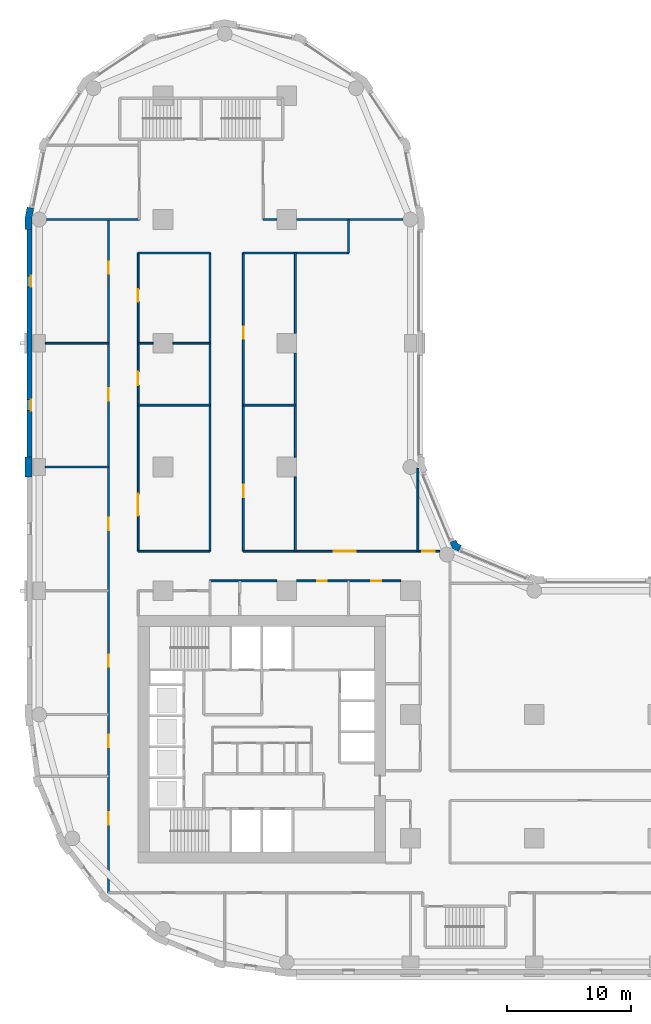
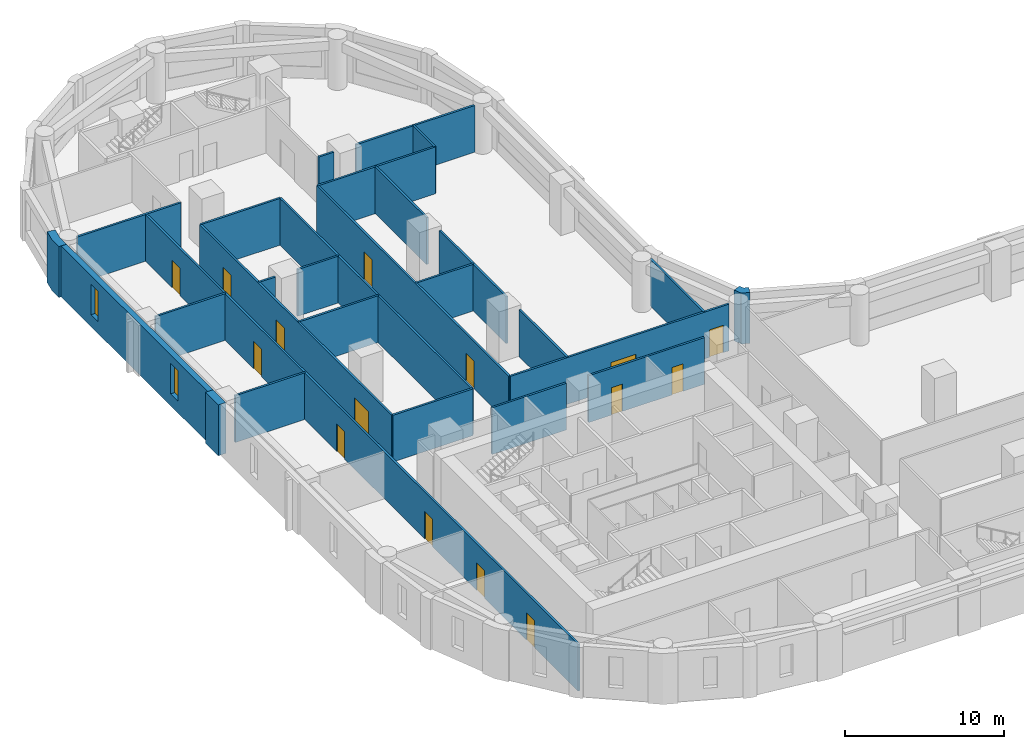
# One storey, part 5 of 10: 28 walls, 15 doors, 2 windows, 17 openings.
"""IFC4 building model written with IfcOpenShell, lengths in metres."""

from ifc_helpers import new_model, si_unit, direction, frame, frame_2d, origin, place, context, subcontext, project, spatial, polyline, rectangle, outline, extrude, material, layer, layer_set, type_object, element, fill, save


model = new_model("IFC4")

# Units and contexts
model_context = context("Model", 3, precision=1e-05, world=origin(), true_north=direction((0.0, 1.0)))
body_context = subcontext(model_context, "Body", "Model", "MODEL_VIEW")
ifc_project = project(units=[si_unit("LENGTHUNIT", "METRE"), si_unit("AREAUNIT", "SQUARE_METRE"), si_unit("VOLUMEUNIT", "CUBIC_METRE"), si_unit("PLANEANGLEUNIT", "RADIAN"), si_unit("MASSUNIT", "GRAM", prefix="KILO")], contexts=[model_context])

# Site, building, storey
site_placement = place(None, origin())
site = spatial("IfcSite", under=ifc_project, at=site_placement, CompositionType="ELEMENT")
building_placement = place(site_placement, origin())
building = spatial("IfcBuilding", under=site, at=building_placement, Name="Qaws Garden Tower", CompositionType="ELEMENT")
storey_placement = place(building_placement, frame((0.0, 0.0, 101.699951171875)))
storey = spatial("IfcBuildingStorey", under=building, at=storey_placement, Name="L25", CompositionType="ELEMENT", Elevation=101.699951171875)

# Wall, openings, windows
ifc_material_1 = material(Name="Clay facing brick masonry", Category="masonry")
ifc_layer_1 = layer(ifc_material_1, 0.39990234375)
ifc_layer_set_1 = layer_set([ifc_layer_1], Name="Clay facing brick masonry")
wall_type_1 = type_object("IfcWallType", Name="Brick infill wall 400", PredefinedType="SOLIDWALL", material=ifc_layer_set_1)
wall_1_placement = place(storey_placement, frame((-0.800048828125, 59.199951171875, 0.0), z_axis=(0.0, 0.0, 1.0), x_axis=(0.0, -1.0, 0.0)))
wall_1 = element("IfcWall", 1, at=wall_1_placement, inside=storey, type_object=wall_type_1, Name="E-L25-infill-23", PredefinedType="SOLIDWALL", context=body_context, shape_type="SweptSolid", body=[
    extrude(rectangle(XDim=18.39990234375, YDim=0.39990234375, at=frame_2d((9.199951171875, 0.0))), origin(), (0.0, 0.0, 1.0), 3.900146484375),
])
opening_1_placement = place(wall_1_placement, frame((3.75, 0.0, 0.89990234375)))
opening_1 = element("IfcOpeningElement", 2, at=opening_1_placement, cuts=wall_1, Name="Opening W09", PredefinedType="OPENING", context=body_context, shape_type="SweptSolid", body=[
    extrude(rectangle(XDim=0.89990234375, YDim=2.35009765625, at=frame_2d((0.449951171875, 1.175048828125))), frame((0.0, 0.2099609375, 0.0), z_axis=(0.0, -1.0, 0.0), x_axis=(1.0, 0.0, 0.0)), (0.0, 0.0, 1.0), 0.419921875),
])
opening_2_placement = place(wall_1_placement, frame((13.75, 0.0, 0.89990234375)))
opening_2 = element("IfcOpeningElement", 3, at=opening_2_placement, cuts=wall_1, Name="Opening W09", PredefinedType="OPENING", context=body_context, shape_type="SweptSolid", body=[
    extrude(rectangle(XDim=0.89990234375, YDim=2.35009765625, at=frame_2d((0.449951171875, 1.175048828125))), frame((0.0, 0.2099609375, 0.0), z_axis=(0.0, -1.0, 0.0), x_axis=(1.0, 0.0, 0.0)), (0.0, 0.0, 1.0), 0.419921875),
])
ifc_material_2 = material(Name="Aluminium framed window, clear glazing", Category="aluminium")
window_type = type_object("IfcWindowType", Name="Slit window 900 x 2350", PartitioningType="SINGLE_PANEL", PredefinedType="WINDOW", material=ifc_material_2)
window_1_placement = place(opening_1_placement, origin())
window_1 = element("IfcWindow", 4, at=window_1_placement, inside=storey, type_object=window_type, Name="E-L25-window-23-0", OverallHeight=2.35009765625, OverallWidth=0.89990234375, PartitioningType="SINGLE_PANEL", PredefinedType="WINDOW", context=body_context, shape_type="SweptSolid", body=[
    extrude(rectangle(XDim=0.89990234375, YDim=2.35009765625, at=frame_2d((0.449951171875, 1.175048828125))), frame((0.0, 0.159912109375, 0.0), z_axis=(0.0, -1.0, 0.0), x_axis=(1.0, 0.0, 0.0)), (0.0, 0.0, 1.0), 0.06005859375),
])
fill(opening_1, window_1)
window_2_placement = place(opening_2_placement, origin())
window_2 = element("IfcWindow", 5, at=window_2_placement, inside=storey, type_object=window_type, Name="E-L25-window-24-0", OverallHeight=2.35009765625, OverallWidth=0.89990234375, PartitioningType="SINGLE_PANEL", PredefinedType="WINDOW", context=body_context, shape_type="SweptSolid", body=[
    extrude(rectangle(XDim=0.89990234375, YDim=2.35009765625, at=frame_2d((0.449951171875, 1.175048828125))), frame((0.0, 0.159912109375, 0.0), z_axis=(0.0, -1.0, 0.0), x_axis=(1.0, 0.0, 0.0)), (0.0, 0.0, 1.0), 0.06005859375),
])
fill(opening_2, window_2)

# Walls
ifc_material_3 = material(Name="Clay facing brick masonry", Category="masonry")
ifc_layer_2 = layer(ifc_material_3, 0.550048828125)
ifc_layer_set_2 = layer_set([ifc_layer_2], Name="Clay facing brick masonry")
wall_type_2 = type_object("IfcWallType", Name="Brick pier 550 x 1600", PredefinedType="SOLIDWALL", material=ifc_layer_set_2)
placement = place(storey_placement, origin())
element("IfcWall", 6, at=placement, inside=storey, type_object=wall_type_2, Name="E-L25-pier-12", PredefinedType="SOLIDWALL", context=body_context, shape_type="SweptSolid", body=[
    extrude(outline(polyline([(34.05078125, 33.546630859375), (34.108154296875, 33.685302734375), (33.80908203125, 33.80908203125), (33.685302734375, 34.108154296875), (33.546630859375, 34.05078125), (33.177001953125, 33.897705078125), (33.38818359375, 33.38818359375), (33.897705078125, 33.177001953125), (34.05078125, 33.546630859375)])), origin(), (0.0, 0.0, 1.0), 3.900146484375),
])
element("IfcWall", 7, at=placement, inside=storey, type_object=wall_type_2, Name="E-L25-pier-23", PredefinedType="SOLIDWALL", context=body_context, shape_type="SweptSolid", body=[
    extrude(outline(polyline([(-0.82470703125, 60.979736328125), (-0.971923828125, 61.009033203125), (-1.14990234375, 60.11328125), (-1.14990234375, 59.199951171875), (-1.0, 59.199951171875), (-0.60009765625, 59.199951171875), (-0.60009765625, 60.05908203125), (-0.432373046875, 60.901611328125), (-0.82470703125, 60.979736328125)])), origin(), (0.0, 0.0, 1.0), 3.900146484375),
])
element("IfcWall", 8, at=placement, inside=storey, type_object=wall_type_2, Name="E-L25-pier-25", PredefinedType="SOLIDWALL", context=body_context, shape_type="SweptSolid", body=[
    extrude(outline(polyline([(-1.0, 40.800048828125), (-1.14990234375, 40.800048828125), (-1.14990234375, 40.0), (-1.14990234375, 39.199951171875), (-1.0, 39.199951171875), (-0.60009765625, 39.199951171875), (-0.60009765625, 40.0), (-0.60009765625, 40.800048828125), (-1.0, 40.800048828125)])), origin(), (0.0, 0.0, 1.0), 3.900146484375),
])

# Wall, openings, doors
ifc_material_4 = material(Name="Gypsum board partition")
ifc_layer_3 = layer(ifc_material_4, 0.14990234375)
ifc_layer_set_3 = layer_set([ifc_layer_3], Name="Gypsum board partition")
wall_type_3 = type_object("IfcWallType", Name="PARTITION 150 EI 60", PredefinedType="PARTITIONING", material=ifc_layer_set_3)
wall_5_placement = place(storey_placement, frame((5.60009765625, 5.60009765625, 0.0), z_axis=(0.0, 0.0, 1.0), x_axis=(0.0, 1.0, 0.0)))
wall_5 = element("IfcWall", 9, at=wall_5_placement, inside=storey, type_object=wall_type_3, Name="O-L25-wall-001", PredefinedType="PARTITIONING", context=body_context, shape_type="SweptSolid", body=[
    extrude(rectangle(XDim=54.39990234375, YDim=0.14990234375, at=frame_2d((27.199951171875, 0.0))), origin(), (0.0, 0.0, 1.0), 3.580078125),
])
opening_3_placement = place(wall_5_placement, frame((5.5, 0.0, 0.0)))
opening_3 = element("IfcOpeningElement", 10, at=opening_3_placement, cuts=wall_5, Name="Opening A801", PredefinedType="OPENING", context=body_context, shape_type="SweptSolid", body=[
    extrude(rectangle(XDim=1.0, YDim=2.10009765625, at=frame_2d((0.5, 1.050048828125))), frame((0.0, 0.0849609375, 0.0), z_axis=(0.0, -1.0, 0.0), x_axis=(1.0, 0.0, 0.0)), (0.0, 0.0, 1.0), 0.169921875),
])
opening_4_placement = place(wall_5_placement, frame((11.75, 0.0, 0.0)))
opening_4 = element("IfcOpeningElement", 11, at=opening_4_placement, cuts=wall_5, Name="Opening A802", PredefinedType="OPENING", context=body_context, shape_type="SweptSolid", body=[
    extrude(rectangle(XDim=1.0, YDim=2.10009765625, at=frame_2d((0.5, 1.050048828125))), frame((0.0, 0.0849609375, 0.0), z_axis=(0.0, -1.0, 0.0), x_axis=(1.0, 0.0, 0.0)), (0.0, 0.0, 1.0), 0.169921875),
])
opening_5_placement = place(wall_5_placement, frame((18.25, 0.0, 0.0)))
opening_5 = element("IfcOpeningElement", 12, at=opening_5_placement, cuts=wall_5, Name="Opening A813", PredefinedType="OPENING", context=body_context, shape_type="SweptSolid", body=[
    extrude(rectangle(XDim=1.0, YDim=2.10009765625, at=frame_2d((0.5, 1.050048828125))), frame((0.0, 0.0849609375, 0.0), z_axis=(0.0, -1.0, 0.0), x_axis=(1.0, 0.0, 0.0)), (0.0, 0.0, 1.0), 0.169921875),
])
opening_6_placement = place(wall_5_placement, frame((29.300048828125, 0.0, 0.0)))
opening_6 = element("IfcOpeningElement", 13, at=opening_6_placement, cuts=wall_5, Name="Opening A823", PredefinedType="OPENING", context=body_context, shape_type="SweptSolid", body=[
    extrude(rectangle(XDim=1.0, YDim=2.10009765625, at=frame_2d((0.5, 1.050048828125))), frame((0.0, 0.0849609375, 0.0), z_axis=(0.0, -1.0, 0.0), x_axis=(1.0, 0.0, 0.0)), (0.0, 0.0, 1.0), 0.169921875),
])
opening_7_placement = place(wall_5_placement, frame((39.75, 0.0, 0.0)))
opening_7 = element("IfcOpeningElement", 14, at=opening_7_placement, cuts=wall_5, Name="Opening A824", PredefinedType="OPENING", context=body_context, shape_type="SweptSolid", body=[
    extrude(rectangle(XDim=1.0, YDim=2.10009765625, at=frame_2d((0.5, 1.050048828125))), frame((0.0, 0.0849609375, 0.0), z_axis=(0.0, -1.0, 0.0), x_axis=(1.0, 0.0, 0.0)), (0.0, 0.0, 1.0), 0.169921875),
])
opening_8_placement = place(wall_5_placement, frame((50.0, 0.0, 0.0)))
opening_8 = element("IfcOpeningElement", 15, at=opening_8_placement, cuts=wall_5, Name="Opening A825", PredefinedType="OPENING", context=body_context, shape_type="SweptSolid", body=[
    extrude(rectangle(XDim=1.0, YDim=2.10009765625, at=frame_2d((0.5, 1.050048828125))), frame((0.0, 0.0849609375, 0.0), z_axis=(0.0, -1.0, 0.0), x_axis=(1.0, 0.0, 0.0)), (0.0, 0.0, 1.0), 0.169921875),
])
ifc_material_5 = material(Name="Timber door leaf", Category="wood")
door_type_1 = type_object("IfcDoorType", Name="TENANCY ENTRANCE DOOR 1000 X 2100", OperationType="SINGLE_SWING_LEFT", PredefinedType="DOOR", material=ifc_material_5)
door_1_placement = place(opening_3_placement, origin())
door_1 = element("IfcDoor", 16, at=door_1_placement, inside=storey, type_object=door_type_1, Name="O-L25-door-001", OperationType="SINGLE_SWING_RIGHT", OverallHeight=2.10009765625, OverallWidth=1.0, PredefinedType="DOOR", context=body_context, shape_type="SweptSolid", body=[
    extrude(rectangle(XDim=1.0, YDim=2.10009765625, at=frame_2d((0.5, 1.050048828125))), frame((0.0, 0.02490234375, 0.0), z_axis=(0.0, -1.0, 0.0), x_axis=(1.0, 0.0, 0.0)), (0.0, 0.0, 1.0), 0.050048828125),
])
fill(opening_3, door_1)
door_2_placement = place(opening_4_placement, origin())
door_2 = element("IfcDoor", 17, at=door_2_placement, inside=storey, type_object=door_type_1, Name="O-L25-door-002", OperationType="SINGLE_SWING_RIGHT", OverallHeight=2.10009765625, OverallWidth=1.0, PredefinedType="DOOR", context=body_context, shape_type="SweptSolid", body=[
    extrude(rectangle(XDim=1.0, YDim=2.10009765625, at=frame_2d((0.5, 1.050048828125))), frame((0.0, 0.02490234375, 0.0), z_axis=(0.0, -1.0, 0.0), x_axis=(1.0, 0.0, 0.0)), (0.0, 0.0, 1.0), 0.050048828125),
])
fill(opening_4, door_2)
door_3_placement = place(opening_5_placement, origin())
door_3 = element("IfcDoor", 18, at=door_3_placement, inside=storey, type_object=door_type_1, Name="O-L25-door-013", OperationType="SINGLE_SWING_RIGHT", OverallHeight=2.10009765625, OverallWidth=1.0, PredefinedType="DOOR", context=body_context, shape_type="SweptSolid", body=[
    extrude(rectangle(XDim=1.0, YDim=2.10009765625, at=frame_2d((0.5, 1.050048828125))), frame((0.0, 0.02490234375, 0.0), z_axis=(0.0, -1.0, 0.0), x_axis=(1.0, 0.0, 0.0)), (0.0, 0.0, 1.0), 0.050048828125),
])
fill(opening_5, door_3)
door_4_placement = place(opening_6_placement, origin())
door_4 = element("IfcDoor", 19, at=door_4_placement, inside=storey, type_object=door_type_1, Name="O-L25-door-023", OperationType="SINGLE_SWING_LEFT", OverallHeight=2.10009765625, OverallWidth=1.0, PredefinedType="DOOR", context=body_context, shape_type="SweptSolid", body=[
    extrude(rectangle(XDim=1.0, YDim=2.10009765625, at=frame_2d((0.5, 1.050048828125))), frame((0.0, 0.02490234375, 0.0), z_axis=(0.0, -1.0, 0.0), x_axis=(1.0, 0.0, 0.0)), (0.0, 0.0, 1.0), 0.050048828125),
])
fill(opening_6, door_4)
door_5_placement = place(opening_7_placement, origin())
door_5 = element("IfcDoor", 20, at=door_5_placement, inside=storey, type_object=door_type_1, Name="O-L25-door-024", OperationType="SINGLE_SWING_LEFT", OverallHeight=2.10009765625, OverallWidth=1.0, PredefinedType="DOOR", context=body_context, shape_type="SweptSolid", body=[
    extrude(rectangle(XDim=1.0, YDim=2.10009765625, at=frame_2d((0.5, 1.050048828125))), frame((0.0, 0.02490234375, 0.0), z_axis=(0.0, -1.0, 0.0), x_axis=(1.0, 0.0, 0.0)), (0.0, 0.0, 1.0), 0.050048828125),
])
fill(opening_7, door_5)
door_6_placement = place(opening_8_placement, origin())
door_6 = element("IfcDoor", 21, at=door_6_placement, inside=storey, type_object=door_type_1, Name="O-L25-door-025", OperationType="SINGLE_SWING_LEFT", OverallHeight=2.10009765625, OverallWidth=1.0, PredefinedType="DOOR", context=body_context, shape_type="SweptSolid", body=[
    extrude(rectangle(XDim=1.0, YDim=2.10009765625, at=frame_2d((0.5, 1.050048828125))), frame((0.0, 0.02490234375, 0.0), z_axis=(0.0, -1.0, 0.0), x_axis=(1.0, 0.0, 0.0)), (0.0, 0.0, 1.0), 0.050048828125),
])
fill(opening_8, door_6)

wall_6_placement = place(storey_placement, frame((8.0, 33.199951171875, 0.0), z_axis=(0.0, 0.0, 1.0), x_axis=(0.0, 1.0, 0.0)))
wall_6 = element("IfcWall", 22, at=wall_6_placement, inside=storey, type_object=wall_type_3, Name="O-L25-wall-003", PredefinedType="PARTITIONING", context=body_context, shape_type="SweptSolid", body=[
    extrude(rectangle(XDim=24.10009765625, YDim=0.14990234375, at=frame_2d((12.050048828125, 0.0))), origin(), (0.0, 0.0, 1.0), 3.580078125),
])
opening_9_placement = place(wall_6_placement, frame((2.85009765625, 0.0, 0.0)))
opening_9 = element("IfcOpeningElement", 23, at=opening_9_placement, cuts=wall_6, Name="Opening A814", PredefinedType="OPENING", context=body_context, shape_type="SweptSolid", body=[
    extrude(rectangle(XDim=1.800048828125, YDim=2.10009765625, at=frame_2d((0.89990234375, 1.050048828125))), frame((0.0, 0.0849609375, 0.0), z_axis=(0.0, -1.0, 0.0), x_axis=(1.0, 0.0, 0.0)), (0.0, 0.0, 1.0), 0.169921875),
])
opening_10_placement = place(wall_6_placement, frame((13.39990234375, 0.0, 0.0)))
opening_10 = element("IfcOpeningElement", 24, at=opening_10_placement, cuts=wall_6, Name="Opening A815", PredefinedType="OPENING", context=body_context, shape_type="SweptSolid", body=[
    extrude(rectangle(XDim=1.10009765625, YDim=2.10009765625, at=frame_2d((0.550048828125, 1.050048828125))), frame((0.0, 0.0849609375, 0.0), z_axis=(0.0, -1.0, 0.0), x_axis=(1.0, 0.0, 0.0)), (0.0, 0.0, 1.0), 0.169921875),
])
opening_11_placement = place(wall_6_placement, frame((20.14990234375, 0.0, 0.0)))
opening_11 = element("IfcOpeningElement", 25, at=opening_11_placement, cuts=wall_6, Name="Opening A816", PredefinedType="OPENING", context=body_context, shape_type="SweptSolid", body=[
    extrude(rectangle(XDim=1.0, YDim=2.10009765625, at=frame_2d((0.5, 1.050048828125))), frame((0.0, 0.0849609375, 0.0), z_axis=(0.0, -1.0, 0.0), x_axis=(1.0, 0.0, 0.0)), (0.0, 0.0, 1.0), 0.169921875),
])
ifc_material_6 = material(Name="Timber door leaf", Category="wood")
door_type_2 = type_object("IfcDoorType", Name="DOUBLE DOOR 1800 X 2100", OperationType="DOUBLE_DOOR_SINGLE_SWING", PredefinedType="DOOR", material=ifc_material_6)
door_7_placement = place(opening_9_placement, frame((1.800048828125, 0.0, 0.0), z_axis=(0.0, 0.0, 1.0), x_axis=(-1.0, 0.0, 0.0)))
door_7 = element("IfcDoor", 26, at=door_7_placement, inside=storey, type_object=door_type_2, Name="O-L25-door-014", OperationType="DOUBLE_DOOR_SINGLE_SWING", OverallHeight=2.10009765625, OverallWidth=1.800048828125, PredefinedType="DOOR", context=body_context, shape_type="SweptSolid", body=[
    extrude(rectangle(XDim=1.800048828125, YDim=2.10009765625, at=frame_2d((0.89990234375, 1.050048828125))), frame((0.0, 0.02490234375, 0.0), z_axis=(0.0, -1.0, 0.0), x_axis=(1.0, 0.0, 0.0)), (0.0, 0.0, 1.0), 0.050048828125),
])
fill(opening_9, door_7)
ifc_material_7 = material(Name="Timber door leaf", Category="wood")
door_type_3 = type_object("IfcDoorType", Name="SERVICE ROOM DOOR 1100 X 2100", OperationType="SINGLE_SWING_LEFT", PredefinedType="DOOR", material=ifc_material_7)
door_8_placement = place(opening_10_placement, frame((1.10009765625, 0.0, 0.0), z_axis=(0.0, 0.0, 1.0), x_axis=(-1.0, 0.0, 0.0)))
door_8 = element("IfcDoor", 27, at=door_8_placement, inside=storey, type_object=door_type_3, Name="O-L25-door-015", OperationType="SINGLE_SWING_RIGHT", OverallHeight=2.10009765625, OverallWidth=1.10009765625, PredefinedType="DOOR", context=body_context, shape_type="SweptSolid", body=[
    extrude(rectangle(XDim=1.10009765625, YDim=2.10009765625, at=frame_2d((0.550048828125, 1.050048828125))), frame((0.0, 0.02490234375, 0.0), z_axis=(0.0, -1.0, 0.0), x_axis=(1.0, 0.0, 0.0)), (0.0, 0.0, 1.0), 0.050048828125),
])
fill(opening_10, door_8)
door_9_placement = place(opening_11_placement, frame((1.0, 0.0, 0.0), z_axis=(0.0, 0.0, 1.0), x_axis=(-1.0, 0.0, 0.0)))
door_9 = element("IfcDoor", 28, at=door_9_placement, inside=storey, type_object=door_type_1, Name="O-L25-door-016", OperationType="SINGLE_SWING_RIGHT", OverallHeight=2.10009765625, OverallWidth=1.0, PredefinedType="DOOR", context=body_context, shape_type="SweptSolid", body=[
    extrude(rectangle(XDim=1.0, YDim=2.10009765625, at=frame_2d((0.5, 1.050048828125))), frame((0.0, 0.02490234375, 0.0), z_axis=(0.0, -1.0, 0.0), x_axis=(1.0, 0.0, 0.0)), (0.0, 0.0, 1.0), 0.050048828125),
])
fill(opening_11, door_9)

# Wall
wall_7_placement = place(storey_placement, frame((13.800048828125, 33.199951171875, 0.0), z_axis=(0.0, 0.0, 1.0), x_axis=(0.0, 1.0, 0.0)))
element("IfcWall", 29, at=wall_7_placement, inside=storey, type_object=wall_type_3, Name="O-L25-wall-006", PredefinedType="PARTITIONING", context=body_context, shape_type="SweptSolid", body=[
    extrude(rectangle(XDim=24.10009765625, YDim=0.14990234375, at=frame_2d((12.050048828125, 0.0))), origin(), (0.0, 0.0, 1.0), 3.580078125),
])

# Wall, openings, doors
wall_8_placement = place(storey_placement, frame((16.5, 33.199951171875, 0.0), z_axis=(0.0, 0.0, 1.0), x_axis=(0.0, 1.0, 0.0)))
wall_8 = element("IfcWall", 30, at=wall_8_placement, inside=storey, type_object=wall_type_3, Name="O-L25-wall-008", PredefinedType="PARTITIONING", context=body_context, shape_type="SweptSolid", body=[
    extrude(rectangle(XDim=24.10009765625, YDim=0.14990234375, at=frame_2d((12.050048828125, 0.0))), origin(), (0.0, 0.0, 1.0), 3.580078125),
])
opening_12_placement = place(wall_8_placement, frame((4.35009765625, 0.0, 0.0)))
opening_12 = element("IfcOpeningElement", 31, at=opening_12_placement, cuts=wall_8, Name="Opening A817", PredefinedType="OPENING", context=body_context, shape_type="SweptSolid", body=[
    extrude(rectangle(XDim=1.0, YDim=2.10009765625, at=frame_2d((0.5, 1.050048828125))), frame((0.0, 0.0849609375, 0.0), z_axis=(0.0, -1.0, 0.0), x_axis=(1.0, 0.0, 0.0)), (0.0, 0.0, 1.0), 0.169921875),
])
opening_13_placement = place(wall_8_placement, frame((17.14990234375, 0.0, 0.0)))
opening_13 = element("IfcOpeningElement", 32, at=opening_13_placement, cuts=wall_8, Name="Opening A818", PredefinedType="OPENING", context=body_context, shape_type="SweptSolid", body=[
    extrude(rectangle(XDim=1.0, YDim=2.10009765625, at=frame_2d((0.5, 1.050048828125))), frame((0.0, 0.0849609375, 0.0), z_axis=(0.0, -1.0, 0.0), x_axis=(1.0, 0.0, 0.0)), (0.0, 0.0, 1.0), 0.169921875),
])
door_10_placement = place(opening_12_placement, frame((1.0, 0.0, 0.0), z_axis=(0.0, 0.0, 1.0), x_axis=(-1.0, 0.0, 0.0)))
door_10 = element("IfcDoor", 33, at=door_10_placement, inside=storey, type_object=door_type_1, Name="O-L25-door-017", OperationType="SINGLE_SWING_RIGHT", OverallHeight=2.10009765625, OverallWidth=1.0, PredefinedType="DOOR", context=body_context, shape_type="SweptSolid", body=[
    extrude(rectangle(XDim=1.0, YDim=2.10009765625, at=frame_2d((0.5, 1.050048828125))), frame((0.0, 0.02490234375, 0.0), z_axis=(0.0, -1.0, 0.0), x_axis=(1.0, 0.0, 0.0)), (0.0, 0.0, 1.0), 0.050048828125),
])
fill(opening_12, door_10)
door_11_placement = place(opening_13_placement, frame((1.0, 0.0, 0.0), z_axis=(0.0, 0.0, 1.0), x_axis=(-1.0, 0.0, 0.0)))
door_11 = element("IfcDoor", 34, at=door_11_placement, inside=storey, type_object=door_type_1, Name="O-L25-door-018", OperationType="SINGLE_SWING_RIGHT", OverallHeight=2.10009765625, OverallWidth=1.0, PredefinedType="DOOR", context=body_context, shape_type="SweptSolid", body=[
    extrude(rectangle(XDim=1.0, YDim=2.10009765625, at=frame_2d((0.5, 1.050048828125))), frame((0.0, 0.02490234375, 0.0), z_axis=(0.0, -1.0, 0.0), x_axis=(1.0, 0.0, 0.0)), (0.0, 0.0, 1.0), 0.050048828125),
])
fill(opening_13, door_11)

# Walls
wall_9_placement = place(storey_placement, frame((20.699951171875, 33.199951171875, 0.0), z_axis=(0.0, 0.0, 1.0), x_axis=(0.0, 1.0, 0.0)))
element("IfcWall", 35, at=wall_9_placement, inside=storey, type_object=wall_type_3, Name="O-L25-wall-011", PredefinedType="PARTITIONING", context=body_context, shape_type="SweptSolid", body=[
    extrude(rectangle(XDim=6.0, YDim=0.14990234375, at=frame_2d((3.0, 0.0))), origin(), (0.0, 0.0, 1.0), 3.580078125),
])
wall_10_placement = place(storey_placement, frame((20.699951171875, 40.800048828125, 0.0), z_axis=(0.0, 0.0, 1.0), x_axis=(0.0, 1.0, 0.0)))
element("IfcWall", 36, at=wall_10_placement, inside=storey, type_object=wall_type_3, Name="O-L25-wall-012", PredefinedType="PARTITIONING", context=body_context, shape_type="SweptSolid", body=[
    extrude(rectangle(XDim=8.39990234375, YDim=0.14990234375, at=frame_2d((4.199951171875, 0.0))), origin(), (0.0, 0.0, 1.0), 3.580078125),
])
wall_11_placement = place(storey_placement, frame((20.699951171875, 50.800048828125, 0.0), z_axis=(0.0, 0.0, 1.0), x_axis=(0.0, 1.0, 0.0)))
element("IfcWall", 37, at=wall_11_placement, inside=storey, type_object=wall_type_3, Name="O-L25-wall-013", PredefinedType="PARTITIONING", context=body_context, shape_type="SweptSolid", body=[
    extrude(rectangle(XDim=6.5, YDim=0.14990234375, at=frame_2d((3.25, 0.0))), origin(), (0.0, 0.0, 1.0), 3.580078125),
])
wall_12_placement = place(storey_placement, frame((25.0, 57.300048828125, 0.0), z_axis=(0.0, 0.0, 1.0), x_axis=(0.0, 1.0, 0.0)))
element("IfcWall", 38, at=wall_12_placement, inside=storey, type_object=wall_type_3, Name="O-L25-wall-015", PredefinedType="PARTITIONING", context=body_context, shape_type="SweptSolid", body=[
    extrude(rectangle(XDim=2.699951171875, YDim=0.14990234375, at=frame_2d((1.35009765625, 0.0))), origin(), (0.0, 0.0, 1.0), 3.580078125),
])
wall_13_placement = place(storey_placement, frame((30.60009765625, 33.199951171875, 0.0), z_axis=(0.0, 0.0, 1.0), x_axis=(0.0, 1.0, 0.0)))
element("IfcWall", 39, at=wall_13_placement, inside=storey, type_object=wall_type_3, Name="O-L25-wall-019", PredefinedType="PARTITIONING", context=body_context, shape_type="SweptSolid", body=[
    extrude(rectangle(XDim=6.698974609375, YDim=0.14990234375, at=frame_2d((3.349609375, 0.0))), origin(), (0.0, 0.0, 1.0), 3.580078125),
])
wall_14_placement = place(storey_placement, frame((13.800048828125, 30.800048828125, 0.0), z_axis=(0.0, 0.0, 1.0), x_axis=(1.0, 0.0, 0.0)))
element("IfcWall", 40, at=wall_14_placement, inside=storey, type_object=wall_type_3, Name="O-L25-wall-047", PredefinedType="PARTITIONING", context=body_context, shape_type="SweptSolid", body=[
    extrude(rectangle(XDim=5.39990234375, YDim=0.14990234375, at=frame_2d((2.699951171875, 0.0))), origin(), (0.0, 0.0, 1.0), 3.580078125),
])

# Wall, openings, doors
wall_15_placement = place(storey_placement, frame((20.800048828125, 30.800048828125, 0.0), z_axis=(0.0, 0.0, 1.0), x_axis=(1.0, 0.0, 0.0)))
wall_15 = element("IfcWall", 41, at=wall_15_placement, inside=storey, type_object=wall_type_3, Name="O-L25-wall-048", PredefinedType="PARTITIONING", context=body_context, shape_type="SweptSolid", body=[
    extrude(rectangle(XDim=8.39990234375, YDim=0.14990234375, at=frame_2d((4.199951171875, 0.0))), origin(), (0.0, 0.0, 1.0), 3.580078125),
])
opening_14_placement = place(wall_15_placement, frame((1.64990234375, 0.0, 0.0)))
opening_14 = element("IfcOpeningElement", 42, at=opening_14_placement, cuts=wall_15, Name="Opening A811", PredefinedType="OPENING", context=body_context, shape_type="SweptSolid", body=[
    extrude(rectangle(XDim=0.800048828125, YDim=2.10009765625, at=frame_2d((0.39990234375, 1.050048828125))), frame((0.0, 0.0849609375, 0.0), z_axis=(0.0, -1.0, 0.0), x_axis=(1.0, 0.0, 0.0)), (0.0, 0.0, 1.0), 0.169921875),
])
opening_15_placement = place(wall_15_placement, frame((6.050048828125, 0.0, 0.0)))
opening_15 = element("IfcOpeningElement", 43, at=opening_15_placement, cuts=wall_15, Name="Opening A812", PredefinedType="OPENING", context=body_context, shape_type="SweptSolid", body=[
    extrude(rectangle(XDim=0.800048828125, YDim=2.10009765625, at=frame_2d((0.39990234375, 1.050048828125))), frame((0.0, 0.0849609375, 0.0), z_axis=(0.0, -1.0, 0.0), x_axis=(1.0, 0.0, 0.0)), (0.0, 0.0, 1.0), 0.169921875),
])
ifc_material_8 = material(Name="Timber door leaf", Category="wood")
door_type_4 = type_object("IfcDoorType", Name="STORE DOOR 800 X 2100", OperationType="SINGLE_SWING_LEFT", PredefinedType="DOOR", material=ifc_material_8)
door_12_placement = place(opening_14_placement, frame((0.800048828125, 0.0, 0.0), z_axis=(0.0, 0.0, 1.0), x_axis=(-1.0, 0.0, 0.0)))
door_12 = element("IfcDoor", 44, at=door_12_placement, inside=storey, type_object=door_type_4, Name="O-L25-door-011", OperationType="SINGLE_SWING_LEFT", OverallHeight=2.10009765625, OverallWidth=0.800048828125, PredefinedType="DOOR", context=body_context, shape_type="SweptSolid", body=[
    extrude(rectangle(XDim=0.800048828125, YDim=2.10009765625, at=frame_2d((0.39990234375, 1.050048828125))), frame((0.0, 0.02490234375, 0.0), z_axis=(0.0, -1.0, 0.0), x_axis=(1.0, 0.0, 0.0)), (0.0, 0.0, 1.0), 0.050048828125),
])
fill(opening_14, door_12)
door_13_placement = place(opening_15_placement, frame((0.800048828125, 0.0, 0.0), z_axis=(0.0, 0.0, 1.0), x_axis=(-1.0, 0.0, 0.0)))
door_13 = element("IfcDoor", 45, at=door_13_placement, inside=storey, type_object=door_type_4, Name="O-L25-door-012", OperationType="SINGLE_SWING_LEFT", OverallHeight=2.10009765625, OverallWidth=0.800048828125, PredefinedType="DOOR", context=body_context, shape_type="SweptSolid", body=[
    extrude(rectangle(XDim=0.800048828125, YDim=2.10009765625, at=frame_2d((0.39990234375, 1.050048828125))), frame((0.0, 0.02490234375, 0.0), z_axis=(0.0, -1.0, 0.0), x_axis=(1.0, 0.0, 0.0)), (0.0, 0.0, 1.0), 0.050048828125),
])
fill(opening_15, door_13)

# Wall
wall_16_placement = place(storey_placement, frame((8.0, 33.199951171875, 0.0), z_axis=(0.0, 0.0, 1.0), x_axis=(1.0, 0.0, 0.0)))
element("IfcWall", 46, at=wall_16_placement, inside=storey, type_object=wall_type_3, Name="O-L25-wall-049", PredefinedType="PARTITIONING", context=body_context, shape_type="SweptSolid", body=[
    extrude(rectangle(XDim=5.800048828125, YDim=0.14990234375, at=frame_2d((2.89990234375, 0.0))), origin(), (0.0, 0.0, 1.0), 3.580078125),
])

# Wall, openings, doors
wall_17_placement = place(storey_placement, frame((16.5, 33.199951171875, 0.0), z_axis=(0.0, 0.0, 1.0), x_axis=(1.0, 0.0, 0.0)))
wall_17 = element("IfcWall", 47, at=wall_17_placement, inside=storey, type_object=wall_type_3, Name="O-L25-wall-050", PredefinedType="PARTITIONING", context=body_context, shape_type="SweptSolid", body=[
    extrude(rectangle(XDim=15.862060546875, YDim=0.14990234375, at=frame_2d((7.93115234375, 0.0))), origin(), (0.0, 0.0, 1.0), 3.580078125),
])
opening_16_placement = place(wall_17_placement, frame((7.300048828125, 0.0, 0.0)))
opening_16 = element("IfcOpeningElement", 48, at=opening_16_placement, cuts=wall_17, Name="Opening A819", PredefinedType="OPENING", context=body_context, shape_type="SweptSolid", body=[
    extrude(rectangle(XDim=1.800048828125, YDim=2.10009765625, at=frame_2d((0.89990234375, 1.050048828125))), frame((0.0, 0.0849609375, 0.0), z_axis=(0.0, -1.0, 0.0), x_axis=(1.0, 0.0, 0.0)), (0.0, 0.0, 1.0), 0.169921875),
])
opening_17_placement = place(wall_17_placement, frame((14.449951171875, 0.0, 0.0)))
opening_17 = element("IfcOpeningElement", 49, at=opening_17_placement, cuts=wall_17, Name="Opening A822", PredefinedType="OPENING", context=body_context, shape_type="SweptSolid", body=[
    extrude(rectangle(XDim=1.0, YDim=2.10009765625, at=frame_2d((0.5, 1.050048828125))), frame((0.0, 0.0849609375, 0.0), z_axis=(0.0, -1.0, 0.0), x_axis=(1.0, 0.0, 0.0)), (0.0, 0.0, 1.0), 0.169921875),
])
door_14_placement = place(opening_16_placement, origin())
door_14 = element("IfcDoor", 50, at=door_14_placement, inside=storey, type_object=door_type_2, Name="O-L25-door-019", OperationType="DOUBLE_DOOR_SINGLE_SWING", OverallHeight=2.10009765625, OverallWidth=1.800048828125, PredefinedType="DOOR", context=body_context, shape_type="SweptSolid", body=[
    extrude(rectangle(XDim=1.800048828125, YDim=2.10009765625, at=frame_2d((0.89990234375, 1.050048828125))), frame((0.0, 0.02490234375, 0.0), z_axis=(0.0, -1.0, 0.0), x_axis=(1.0, 0.0, 0.0)), (0.0, 0.0, 1.0), 0.050048828125),
])
fill(opening_16, door_14)
door_15_placement = place(opening_17_placement, origin())
door_15 = element("IfcDoor", 51, at=door_15_placement, inside=storey, type_object=door_type_1, Name="O-L25-door-022", OperationType="SINGLE_SWING_LEFT", OverallHeight=2.10009765625, OverallWidth=1.0, PredefinedType="DOOR", context=body_context, shape_type="SweptSolid", body=[
    extrude(rectangle(XDim=1.0, YDim=2.10009765625, at=frame_2d((0.5, 1.050048828125))), frame((0.0, 0.02490234375, 0.0), z_axis=(0.0, -1.0, 0.0), x_axis=(1.0, 0.0, 0.0)), (0.0, 0.0, 1.0), 0.050048828125),
])
fill(opening_17, door_15)

# Walls
wall_18_placement = place(storey_placement, frame((0.5, 40.0, 0.0), z_axis=(0.0, 0.0, 1.0), x_axis=(1.0, 0.0, 0.0)))
element("IfcWall", 52, at=wall_18_placement, inside=storey, type_object=wall_type_3, Name="O-L25-wall-051", PredefinedType="PARTITIONING", context=body_context, shape_type="SweptSolid", body=[
    extrude(rectangle(XDim=5.10009765625, YDim=0.14990234375, at=frame_2d((2.550048828125, 0.0))), origin(), (0.0, 0.0, 1.0), 3.580078125),
])
wall_19_placement = place(storey_placement, frame((8.0, 45.0, 0.0), z_axis=(0.0, 0.0, 1.0), x_axis=(1.0, 0.0, 0.0)))
element("IfcWall", 53, at=wall_19_placement, inside=storey, type_object=wall_type_3, Name="O-L25-wall-052", PredefinedType="PARTITIONING", context=body_context, shape_type="SweptSolid", body=[
    extrude(rectangle(XDim=5.800048828125, YDim=0.14990234375, at=frame_2d((2.89990234375, 0.0))), origin(), (0.0, 0.0, 1.0), 3.580078125),
])
wall_20_placement = place(storey_placement, frame((16.5, 45.0, 0.0), z_axis=(0.0, 0.0, 1.0), x_axis=(1.0, 0.0, 0.0)))
element("IfcWall", 54, at=wall_20_placement, inside=storey, type_object=wall_type_3, Name="O-L25-wall-053", PredefinedType="PARTITIONING", context=body_context, shape_type="SweptSolid", body=[
    extrude(rectangle(XDim=4.199951171875, YDim=0.14990234375, at=frame_2d((2.10009765625, 0.0))), origin(), (0.0, 0.0, 1.0), 3.580078125),
])
wall_21_placement = place(storey_placement, frame((0.5, 50.0, 0.0), z_axis=(0.0, 0.0, 1.0), x_axis=(1.0, 0.0, 0.0)))
element("IfcWall", 55, at=wall_21_placement, inside=storey, type_object=wall_type_3, Name="O-L25-wall-054", PredefinedType="PARTITIONING", context=body_context, shape_type="SweptSolid", body=[
    extrude(rectangle(XDim=5.10009765625, YDim=0.14990234375, at=frame_2d((2.550048828125, 0.0))), origin(), (0.0, 0.0, 1.0), 3.580078125),
])
wall_22_placement = place(storey_placement, frame((8.0, 50.0, 0.0), z_axis=(0.0, 0.0, 1.0), x_axis=(1.0, 0.0, 0.0)))
element("IfcWall", 56, at=wall_22_placement, inside=storey, type_object=wall_type_3, Name="O-L25-wall-055", PredefinedType="PARTITIONING", context=body_context, shape_type="SweptSolid", body=[
    extrude(rectangle(XDim=1.199951171875, YDim=0.14990234375, at=frame_2d((0.60009765625, 0.0))), origin(), (0.0, 0.0, 1.0), 3.580078125),
])
wall_23_placement = place(storey_placement, frame((10.800048828125, 50.0, 0.0), z_axis=(0.0, 0.0, 1.0), x_axis=(1.0, 0.0, 0.0)))
element("IfcWall", 57, at=wall_23_placement, inside=storey, type_object=wall_type_3, Name="O-L25-wall-056", PredefinedType="PARTITIONING", context=body_context, shape_type="SweptSolid", body=[
    extrude(rectangle(XDim=3.0, YDim=0.14990234375, at=frame_2d((1.5, 0.0))), origin(), (0.0, 0.0, 1.0), 3.580078125),
])
wall_24_placement = place(storey_placement, frame((8.0, 57.300048828125, 0.0), z_axis=(0.0, 0.0, 1.0), x_axis=(1.0, 0.0, 0.0)))
element("IfcWall", 58, at=wall_24_placement, inside=storey, type_object=wall_type_3, Name="O-L25-wall-057", PredefinedType="PARTITIONING", context=body_context, shape_type="SweptSolid", body=[
    extrude(rectangle(XDim=5.800048828125, YDim=0.14990234375, at=frame_2d((2.89990234375, 0.0))), origin(), (0.0, 0.0, 1.0), 3.580078125),
])
wall_25_placement = place(storey_placement, frame((16.5, 57.300048828125, 0.0), z_axis=(0.0, 0.0, 1.0), x_axis=(1.0, 0.0, 0.0)))
element("IfcWall", 59, at=wall_25_placement, inside=storey, type_object=wall_type_3, Name="O-L25-wall-058", PredefinedType="PARTITIONING", context=body_context, shape_type="SweptSolid", body=[
    extrude(rectangle(XDim=8.5, YDim=0.14990234375, at=frame_2d((4.25, 0.0))), origin(), (0.0, 0.0, 1.0), 3.580078125),
])
wall_26_placement = place(storey_placement, frame((0.60009765625, 60.0, 0.0), z_axis=(0.0, 0.0, 1.0), x_axis=(1.0, 0.0, 0.0)))
element("IfcWall", 60, at=wall_26_placement, inside=storey, type_object=wall_type_3, Name="O-L25-wall-059", PredefinedType="PARTITIONING", context=body_context, shape_type="SweptSolid", body=[
    extrude(rectangle(XDim=7.5, YDim=0.14990234375, at=frame_2d((3.75, 0.0))), origin(), (0.0, 0.0, 1.0), 3.580078125),
])
wall_27_placement = place(storey_placement, frame((18.10009765625, 60.0, 0.0), z_axis=(0.0, 0.0, 1.0), x_axis=(1.0, 0.0, 0.0)))
element("IfcWall", 61, at=wall_27_placement, inside=storey, type_object=wall_type_3, Name="O-L25-wall-060", PredefinedType="PARTITIONING", context=body_context, shape_type="SweptSolid", body=[
    extrude(rectangle(XDim=1.099853515625, YDim=0.14990234375, at=frame_2d((0.5498046875, 0.0))), origin(), (0.0, 0.0, 1.0), 3.580078125),
])
wall_28_placement = place(storey_placement, frame((20.800048828125, 60.0, 0.0), z_axis=(0.0, 0.0, 1.0), x_axis=(1.0, 0.0, 0.0)))
element("IfcWall", 62, at=wall_28_placement, inside=storey, type_object=wall_type_3, Name="O-L25-wall-061", PredefinedType="PARTITIONING", context=body_context, shape_type="SweptSolid", body=[
    extrude(rectangle(XDim=8.599853515625, YDim=0.14990234375, at=frame_2d((4.2998046875, 0.0))), origin(), (0.0, 0.0, 1.0), 3.580078125),
])

save(model, "model.ifc")
